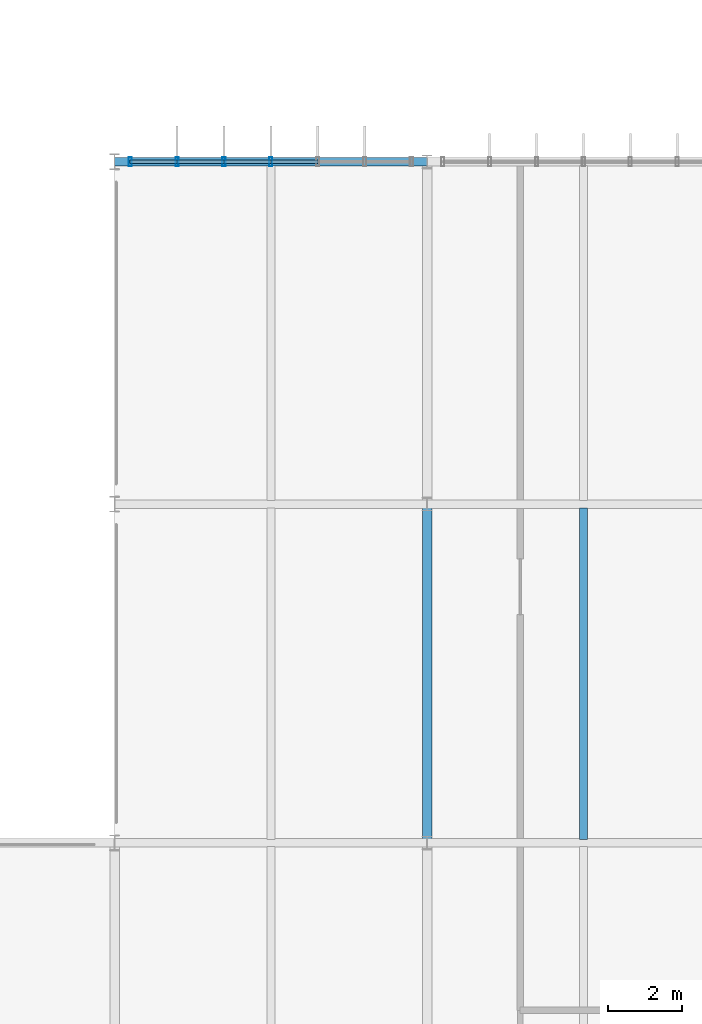
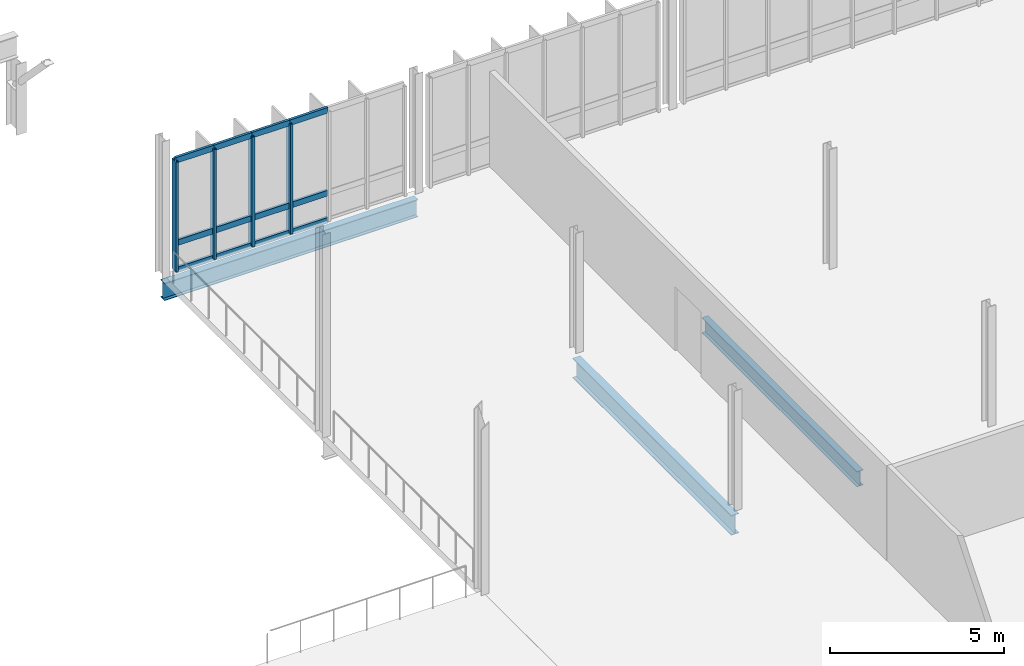
# One storey, part 67 of 107: 16 members, 3 beams, 1 element without a shape of its own.
"""IFC4 building model written with IfcOpenShell, lengths in metres."""

from ifc_helpers import new_model, si_unit, derived_unit, direction, frame, origin, origin_2d, place, context, subcontext, project, spatial, hollow_rectangle, i_section, extrude, material, layer, layer_set, material_profile, profile_set, type_object, element, aggregate, save


model = new_model("IFC4")

# Units and contexts
model_context = context("Model", 3, precision=1e-05, world=origin(), true_north=direction((0.0, 1.0)))
body_context = subcontext(model_context, "Body", "Model", "MODEL_VIEW")
ifc_project = project(units=[si_unit("LENGTHUNIT", "METRE"), si_unit("AREAUNIT", "SQUARE_METRE"), si_unit("VOLUMEUNIT", "CUBIC_METRE"), si_unit("PLANEANGLEUNIT", "RADIAN"), si_unit("MASSUNIT", "GRAM", prefix="KILO"), derived_unit("THERMALTRANSMITTANCEUNIT", [(si_unit("MASSUNIT", "GRAM", prefix="KILO"), 1), (si_unit("TIMEUNIT", "SECOND"), -3), (si_unit("THERMODYNAMICTEMPERATUREUNIT", "KELVIN"), -1)])], contexts=[model_context])

# Site, building, storey
site_placement = place(None, origin())
site = spatial("IfcSite", under=ifc_project, at=site_placement, CompositionType="ELEMENT")
building_placement = place(site_placement, origin())
building = spatial("IfcBuilding", under=site, at=building_placement, Name="Makaiwela Harbour Ferry Terminal", CompositionType="ELEMENT")
storey_placement = place(building_placement, frame((0.0, 0.0, 9.60009765625)))
storey = spatial("IfcBuildingStorey", under=building, at=storey_placement, Name="L02", CompositionType="ELEMENT", Elevation=9.60009765625)

# Curtain wall, members
ifc_material_1 = material(Name="Marine anodised aluminium 6063-T6", Category="aluminium")
ifc_layer = layer(ifc_material_1, 0.199951171875)
ifc_layer_set = layer_set([ifc_layer], Name="Marine anodised aluminium 6063-T6")
curtain_wall_type = type_object("IfcCurtainWallType", Name="ENV-CW-09", PredefinedType="USERDEFINED", material=ifc_layer_set)
curtain_wall_placement = place(storey_placement, origin())
curtain_wall = element("IfcCurtainWall", 1, at=curtain_wall_placement, inside=storey, type_object=curtain_wall_type, Name="Unitised Curtain Wall CWA-122", ObjectType="UNITIZED CURTAIN WALL", PredefinedType="USERDEFINED")
ifc_material_profile_1 = material_profile(ifc_material_1, hollow_rectangle(XDim=0.0849609375, YDim=0.25, WallThickness=0.0048828125, at=origin_2d()), Name="CWM-250X85")
ifc_profile_set_1 = profile_set([ifc_material_profile_1], Name="Marine anodised aluminium 6063-T6")
member_type_1 = type_object("IfcMemberType", Name="CW-MUL-250", PredefinedType="MULLION", material=ifc_profile_set_1)
member_1_placement = place(storey_placement, frame((139.02001953125, 95.0, 0.0), z_axis=(0.0, 0.0, 1.0), x_axis=(1.0, 0.0, 0.0)))
member_1 = element("IfcMember", 2, at=member_1_placement, type_object=member_type_1, Name="Curtain Wall Mullion CWA-122-1", PredefinedType="MULLION", context=body_context, shape_type="SweptSolid", body=[
    extrude(hollow_rectangle(XDim=0.0849609375, YDim=0.25, WallThickness=0.0048828125, at=origin_2d()), origin(), (0.0, 0.0, 1.0), 3.849853515625),
])
member_2_placement = place(storey_placement, frame((140.280029296875, 95.0, 0.0), z_axis=(0.0, 0.0, 1.0), x_axis=(1.0, 0.0, 0.0)))
member_2 = element("IfcMember", 3, at=member_2_placement, type_object=member_type_1, Name="Curtain Wall Mullion CWA-122-2", PredefinedType="MULLION", context=body_context, shape_type="SweptSolid", body=[
    extrude(hollow_rectangle(XDim=0.0849609375, YDim=0.25, WallThickness=0.0048828125, at=origin_2d()), origin(), (0.0, 0.0, 1.0), 3.849853515625),
])
member_3_placement = place(storey_placement, frame((141.5400390625, 95.0, 0.0), z_axis=(0.0, 0.0, 1.0), x_axis=(1.0, 0.0, 0.0)))
member_3 = element("IfcMember", 4, at=member_3_placement, type_object=member_type_1, Name="Curtain Wall Mullion CWA-122-3", PredefinedType="MULLION", context=body_context, shape_type="SweptSolid", body=[
    extrude(hollow_rectangle(XDim=0.0849609375, YDim=0.25, WallThickness=0.0048828125, at=origin_2d()), origin(), (0.0, 0.0, 1.0), 3.849853515625),
])
member_4_placement = place(storey_placement, frame((142.800048828125, 95.0, 0.0), z_axis=(0.0, 0.0, 1.0), x_axis=(1.0, 0.0, 0.0)))
member_4 = element("IfcMember", 5, at=member_4_placement, type_object=member_type_1, Name="Curtain Wall Mullion CWA-122-4", PredefinedType="MULLION", context=body_context, shape_type="SweptSolid", body=[
    extrude(hollow_rectangle(XDim=0.0849609375, YDim=0.25, WallThickness=0.0048828125, at=origin_2d()), origin(), (0.0, 0.0, 1.0), 3.849853515625),
])
ifc_material_profile_2 = material_profile(ifc_material_1, hollow_rectangle(XDim=0.0849609375, YDim=0.199951171875, WallThickness=0.0048828125, at=origin_2d()), Name="CWT-200X85")
ifc_profile_set_2 = profile_set([ifc_material_profile_2], Name="Marine anodised aluminium 6063-T6")
member_type_2 = type_object("IfcMemberType", Name="CW-TRN-200", PredefinedType="USERDEFINED", material=ifc_profile_set_2)
member_5_placement = place(storey_placement, frame((139.02001953125, 95.0, 0.0), z_axis=(1.0, 0.0, 0.0), x_axis=(0.0, 1.0, 0.0)))
member_5 = element("IfcMember", 6, at=member_5_placement, type_object=member_type_2, Name="Curtain Wall Transom CWA-122-1-1", ObjectType="TRANSOM", PredefinedType="USERDEFINED", context=body_context, shape_type="SweptSolid", body=[
    extrude(hollow_rectangle(XDim=0.0849609375, YDim=0.199951171875, WallThickness=0.0048828125, at=origin_2d()), origin(), (0.0, 0.0, 1.0), 1.260009765625),
])
member_6_placement = place(storey_placement, frame((139.02001953125, 95.0, 0.949951171875), z_axis=(1.0, 0.0, 0.0), x_axis=(0.0, 1.0, 0.0)))
member_6 = element("IfcMember", 7, at=member_6_placement, type_object=member_type_2, Name="Curtain Wall Transom CWA-122-1-2", ObjectType="TRANSOM", PredefinedType="USERDEFINED", context=body_context, shape_type="SweptSolid", body=[
    extrude(hollow_rectangle(XDim=0.0849609375, YDim=0.199951171875, WallThickness=0.0048828125, at=origin_2d()), origin(), (0.0, 0.0, 1.0), 1.260009765625),
])
member_7_placement = place(storey_placement, frame((139.02001953125, 95.0, 3.849853515625), z_axis=(1.0, 0.0, 0.0), x_axis=(0.0, 1.0, 0.0)))
member_7 = element("IfcMember", 8, at=member_7_placement, type_object=member_type_2, Name="Curtain Wall Transom CWA-122-1-3", ObjectType="TRANSOM", PredefinedType="USERDEFINED", context=body_context, shape_type="SweptSolid", body=[
    extrude(hollow_rectangle(XDim=0.0849609375, YDim=0.199951171875, WallThickness=0.0048828125, at=origin_2d()), origin(), (0.0, 0.0, 1.0), 1.260009765625),
])
member_8_placement = place(storey_placement, frame((140.280029296875, 95.0, 0.0), z_axis=(1.0, 0.0, 0.0), x_axis=(0.0, 1.0, 0.0)))
member_8 = element("IfcMember", 9, at=member_8_placement, type_object=member_type_2, Name="Curtain Wall Transom CWA-122-2-1", ObjectType="TRANSOM", PredefinedType="USERDEFINED", context=body_context, shape_type="SweptSolid", body=[
    extrude(hollow_rectangle(XDim=0.0849609375, YDim=0.199951171875, WallThickness=0.0048828125, at=origin_2d()), origin(), (0.0, 0.0, 1.0), 1.260009765625),
])
member_9_placement = place(storey_placement, frame((140.280029296875, 95.0, 0.949951171875), z_axis=(1.0, 0.0, 0.0), x_axis=(0.0, 1.0, 0.0)))
member_9 = element("IfcMember", 10, at=member_9_placement, type_object=member_type_2, Name="Curtain Wall Transom CWA-122-2-2", ObjectType="TRANSOM", PredefinedType="USERDEFINED", context=body_context, shape_type="SweptSolid", body=[
    extrude(hollow_rectangle(XDim=0.0849609375, YDim=0.199951171875, WallThickness=0.0048828125, at=origin_2d()), origin(), (0.0, 0.0, 1.0), 1.260009765625),
])
member_10_placement = place(storey_placement, frame((140.280029296875, 95.0, 3.849853515625), z_axis=(1.0, 0.0, 0.0), x_axis=(0.0, 1.0, 0.0)))
member_10 = element("IfcMember", 11, at=member_10_placement, type_object=member_type_2, Name="Curtain Wall Transom CWA-122-2-3", ObjectType="TRANSOM", PredefinedType="USERDEFINED", context=body_context, shape_type="SweptSolid", body=[
    extrude(hollow_rectangle(XDim=0.0849609375, YDim=0.199951171875, WallThickness=0.0048828125, at=origin_2d()), origin(), (0.0, 0.0, 1.0), 1.260009765625),
])
member_11_placement = place(storey_placement, frame((141.5400390625, 95.0, 0.0), z_axis=(1.0, 0.0, 0.0), x_axis=(0.0, 1.0, 0.0)))
member_11 = element("IfcMember", 12, at=member_11_placement, type_object=member_type_2, Name="Curtain Wall Transom CWA-122-3-1", ObjectType="TRANSOM", PredefinedType="USERDEFINED", context=body_context, shape_type="SweptSolid", body=[
    extrude(hollow_rectangle(XDim=0.0849609375, YDim=0.199951171875, WallThickness=0.0048828125, at=origin_2d()), origin(), (0.0, 0.0, 1.0), 1.260009765625),
])
member_12_placement = place(storey_placement, frame((141.5400390625, 95.0, 0.949951171875), z_axis=(1.0, 0.0, 0.0), x_axis=(0.0, 1.0, 0.0)))
member_12 = element("IfcMember", 13, at=member_12_placement, type_object=member_type_2, Name="Curtain Wall Transom CWA-122-3-2", ObjectType="TRANSOM", PredefinedType="USERDEFINED", context=body_context, shape_type="SweptSolid", body=[
    extrude(hollow_rectangle(XDim=0.0849609375, YDim=0.199951171875, WallThickness=0.0048828125, at=origin_2d()), origin(), (0.0, 0.0, 1.0), 1.260009765625),
])
member_13_placement = place(storey_placement, frame((141.5400390625, 95.0, 3.849853515625), z_axis=(1.0, 0.0, 0.0), x_axis=(0.0, 1.0, 0.0)))
member_13 = element("IfcMember", 14, at=member_13_placement, type_object=member_type_2, Name="Curtain Wall Transom CWA-122-3-3", ObjectType="TRANSOM", PredefinedType="USERDEFINED", context=body_context, shape_type="SweptSolid", body=[
    extrude(hollow_rectangle(XDim=0.0849609375, YDim=0.199951171875, WallThickness=0.0048828125, at=origin_2d()), origin(), (0.0, 0.0, 1.0), 1.260009765625),
])
member_14_placement = place(storey_placement, frame((142.800048828125, 95.0, 0.0), z_axis=(1.0, 0.0, 0.0), x_axis=(0.0, 1.0, 0.0)))
member_14 = element("IfcMember", 15, at=member_14_placement, type_object=member_type_2, Name="Curtain Wall Transom CWA-122-4-1", ObjectType="TRANSOM", PredefinedType="USERDEFINED", context=body_context, shape_type="SweptSolid", body=[
    extrude(hollow_rectangle(XDim=0.0849609375, YDim=0.199951171875, WallThickness=0.0048828125, at=origin_2d()), origin(), (0.0, 0.0, 1.0), 1.260009765625),
])
member_15_placement = place(storey_placement, frame((142.800048828125, 95.0, 0.949951171875), z_axis=(1.0, 0.0, 0.0), x_axis=(0.0, 1.0, 0.0)))
member_15 = element("IfcMember", 16, at=member_15_placement, type_object=member_type_2, Name="Curtain Wall Transom CWA-122-4-2", ObjectType="TRANSOM", PredefinedType="USERDEFINED", context=body_context, shape_type="SweptSolid", body=[
    extrude(hollow_rectangle(XDim=0.0849609375, YDim=0.199951171875, WallThickness=0.0048828125, at=origin_2d()), origin(), (0.0, 0.0, 1.0), 1.260009765625),
])
member_16_placement = place(storey_placement, frame((142.800048828125, 95.0, 3.849853515625), z_axis=(1.0, 0.0, 0.0), x_axis=(0.0, 1.0, 0.0)))
member_16 = element("IfcMember", 17, at=member_16_placement, type_object=member_type_2, Name="Curtain Wall Transom CWA-122-4-3", ObjectType="TRANSOM", PredefinedType="USERDEFINED", context=body_context, shape_type="SweptSolid", body=[
    extrude(hollow_rectangle(XDim=0.0849609375, YDim=0.199951171875, WallThickness=0.0048828125, at=origin_2d()), origin(), (0.0, 0.0, 1.0), 1.260009765625),
])
aggregate(curtain_wall, [member_1, member_2, member_3, member_4, member_5, member_6, member_7, member_8, member_9, member_10, member_11, member_12, member_13, member_14, member_15, member_16])

# Beams
ifc_material_2 = material(Name="Steel ASTM A992 Grade 50", Category="steel")
ifc_material_profile_3 = material_profile(ifc_material_2, i_section(OverallWidth=0.2099609375, OverallDepth=0.537109375, WebThickness=0.010986328125, FlangeThickness=0.017333984375, at=origin_2d()), Name="W21X68")
ifc_profile_set_3 = profile_set([ifc_material_profile_3], Name="Steel ASTM A992 Grade 50")
beam_type_1 = type_object("IfcBeamType", Name="STR-BM-W21X68", PredefinedType="BEAM", material=ifc_profile_set_3)
beam_1_placement = place(storey_placement, frame((151.199951171875, 76.79638671875, -0.528564453125), z_axis=(0.0, 1.0, 0.0), x_axis=(-1.0, 0.0, 0.0)))
element("IfcBeam", 18, at=beam_1_placement, inside=storey, type_object=beam_type_1, Name="Secondary floor beam 1540", PredefinedType="BEAM", context=body_context, shape_type="SweptSolid", body=[
    extrude(i_section(OverallWidth=0.2099609375, OverallDepth=0.537109375, WebThickness=0.010986328125, FlangeThickness=0.017333984375, at=origin_2d()), origin(), (0.0, 0.0, 1.0), 8.9072265625),
])
ifc_material_profile_4 = material_profile(ifc_material_2, i_section(OverallWidth=0.22900390625, OverallDepth=0.612060546875, WebThickness=0.011962890625, FlangeThickness=0.01953125, at=origin_2d()), Name="W24X84")
ifc_profile_set_4 = profile_set([ifc_material_profile_4], Name="Steel ASTM A992 Grade 50")
beam_type_2 = type_object("IfcBeamType", Name="STR-GRD-W24X84", PredefinedType="USERDEFINED", material=ifc_profile_set_4)
beam_2_placement = place(storey_placement, frame((138.60009765625, 95.0, -0.566162109375), z_axis=(1.0, 0.0, 0.0), x_axis=(0.0, 1.0, 0.0)))
element("IfcBeam", 19, at=beam_2_placement, inside=storey, type_object=beam_type_2, Name="Primary X girder 1343", ObjectType="GIRDER", PredefinedType="USERDEFINED", context=body_context, shape_type="SweptSolid", body=[
    extrude(i_section(OverallWidth=0.22900390625, OverallDepth=0.612060546875, WebThickness=0.011962890625, FlangeThickness=0.01953125, at=origin_2d()), origin(), (0.0, 0.0, 1.0), 8.39990234375),
])
ifc_material_profile_5 = material_profile(ifc_material_2, i_section(OverallWidth=0.256103515625, OverallDepth=0.693115234375, WebThickness=0.014404296875, FlangeThickness=0.023681640625, at=origin_2d()), Name="W27X114")
ifc_profile_set_5 = profile_set([ifc_material_profile_5], Name="Steel ASTM A992 Grade 50")
beam_type_3 = type_object("IfcBeamType", Name="STR-GRD-W27X114", PredefinedType="USERDEFINED", material=ifc_profile_set_5)
beam_3_placement = place(storey_placement, frame((147.0, 76.699951171875, -0.606689453125), z_axis=(0.0, 1.0, 0.0), x_axis=(-1.0, 0.0, 0.0)))
element("IfcBeam", 20, at=beam_3_placement, inside=storey, type_object=beam_type_3, Name="Primary Y girder 1437", ObjectType="GIRDER", PredefinedType="USERDEFINED", context=body_context, shape_type="SweptSolid", body=[
    extrude(i_section(OverallWidth=0.256103515625, OverallDepth=0.693115234375, WebThickness=0.014404296875, FlangeThickness=0.023681640625, at=origin_2d()), origin(), (0.0, 0.0, 1.0), 9.10009765625),
])

save(model, "model.ifc")
